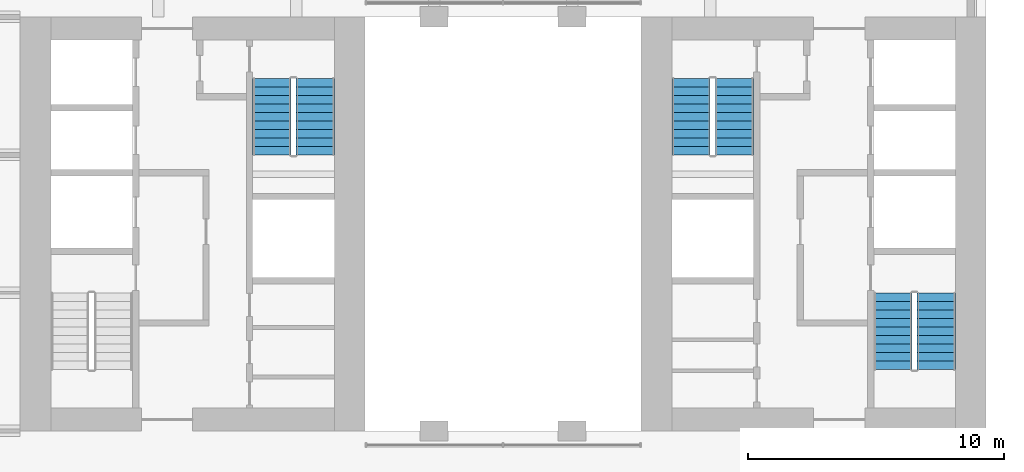
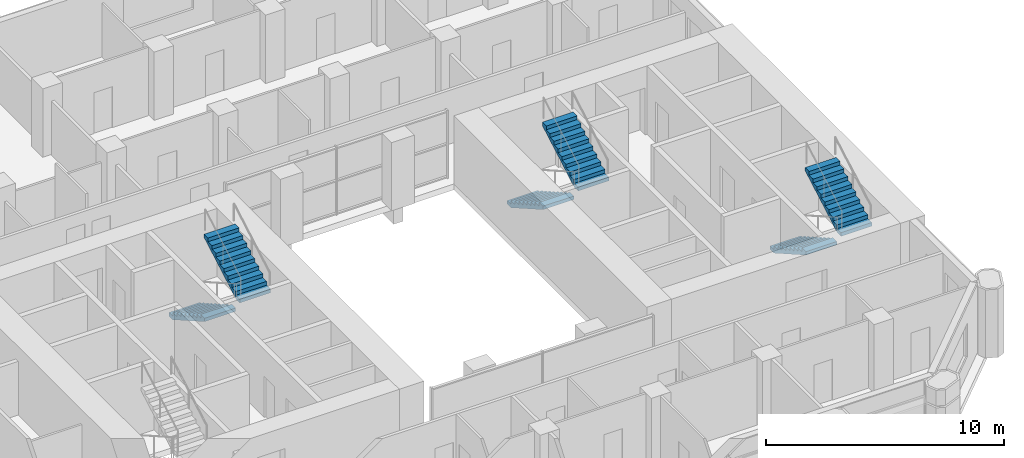
# One storey, part 10 of 13: 6 stair flights, 3 elements without a shape of their own.
"""IFC4 building model written with IfcOpenShell, lengths in metres."""

from ifc_helpers import new_model, si_unit, direction, frame, origin, place, context, subcontext, project, spatial, polyline, outline, extrude, material, type_object, element, aggregate, save


model = new_model("IFC4")

# Units and contexts
model_context = context("Model", 3, precision=1e-05, world=origin(), true_north=direction((0.0, 1.0)))
body_context = subcontext(model_context, "Body", "Model", "MODEL_VIEW")
ifc_project = project(units=[si_unit("LENGTHUNIT", "METRE"), si_unit("AREAUNIT", "SQUARE_METRE"), si_unit("VOLUMEUNIT", "CUBIC_METRE"), si_unit("PLANEANGLEUNIT", "RADIAN"), si_unit("MASSUNIT", "GRAM", prefix="KILO")], contexts=[model_context])

# Site, building, storey
site_placement = place(None, origin())
site = spatial("IfcSite", under=ifc_project, at=site_placement, CompositionType="ELEMENT")
building_placement = place(site_placement, origin())
building = spatial("IfcBuilding", under=site, at=building_placement, Name="Tabaq Tower and Sports Hall", CompositionType="ELEMENT")
storey_placement = place(building_placement, frame((0.0, 0.0, 118.199951171875)))
storey = spatial("IfcBuildingStorey", under=building, at=storey_placement, Name="L28", CompositionType="ELEMENT", Elevation=118.199951171875)

# Stair, stair flights
ifc_material_1 = material(Name="Concrete C40/50", Category="concrete")
stair_type = type_object("IfcStairType", Name="Exit stair", PredefinedType="HALF_TURN_STAIR", material=ifc_material_1)
stair_1_placement = place(storey_placement, origin())
stair_1 = element("IfcStair", 1, at=stair_1_placement, inside=storey, type_object=stair_type, Name="L28 Exit stair ST2", PredefinedType="HALF_TURN_STAIR")
ifc_material_2 = material(Name="Concrete C40/50", Category="concrete")
stair_flight_type = type_object("IfcStairFlightType", Name="Exit stair flight", PredefinedType="STRAIGHT", material=ifc_material_2)
stair_flight_1_placement = place(storey_placement, frame((15.25, 30.0, 0.0), z_axis=(0.0, 0.0, 1.0), x_axis=(0.0, -1.0, 0.0)))
stair_flight_1 = element("IfcStairFlight", 2, at=stair_flight_1_placement, type_object=stair_flight_type, Name="ST2 flight 1", NumberOfRisers=10, NumberOfTreads=9, PredefinedType="STRAIGHT", RiserHeight=0.19, TreadLength=0.333333333, context=body_context, shape_type="SweptSolid", body=[
    extrude(outline(polyline([(0.0, 0.0), (0.0, 0.18994140625), (0.333251953125, 0.18994140625), (0.333251953125, 0.3798828125), (0.666748046875, 0.3798828125), (0.666748046875, 0.570068359375), (1.0, 0.570068359375), (1.0, 0.760009765625), (1.333251953125, 0.760009765625), (1.333251953125, 0.949951171875), (1.666748046875, 0.949951171875), (1.666748046875, 1.139892578125), (2.0, 1.139892578125), (2.0, 1.330078125), (2.333251953125, 1.330078125), (2.333251953125, 1.52001953125), (2.666748046875, 1.52001953125), (2.666748046875, 1.7099609375), (3.0, 1.7099609375), (3.0, 1.89990234375), (3.0, 1.537353515625), (0.302734375, 0.0), (0.0, 0.0)])), frame((0.0, 0.75, 0.0), z_axis=(0.0, -1.0, 0.0), x_axis=(1.0, 0.0, 0.0)), (0.0, 0.0, 1.0), 1.5),
])
stair_flight_2_placement = place(storey_placement, frame((16.949951171875, 27.0, 1.900146484375), z_axis=(0.0, 0.0, 1.0), x_axis=(0.0, 1.0, 0.0)))
stair_flight_2 = element("IfcStairFlight", 3, at=stair_flight_2_placement, type_object=stair_flight_type, Name="ST2 flight 2", NumberOfRisers=10, NumberOfTreads=9, PredefinedType="STRAIGHT", RiserHeight=0.19, TreadLength=0.333333333, context=body_context, shape_type="SweptSolid", body=[
    extrude(outline(polyline([(0.0, 0.0), (0.0, 0.18994140625), (0.333251953125, 0.18994140625), (0.333251953125, 0.3798828125), (0.666748046875, 0.3798828125), (0.666748046875, 0.570068359375), (1.0, 0.570068359375), (1.0, 0.760009765625), (1.333251953125, 0.760009765625), (1.333251953125, 0.949951171875), (1.666748046875, 0.949951171875), (1.666748046875, 1.139892578125), (2.0, 1.139892578125), (2.0, 1.330078125), (2.333251953125, 1.330078125), (2.333251953125, 1.52001953125), (2.666748046875, 1.52001953125), (2.666748046875, 1.7099609375), (3.0, 1.7099609375), (3.0, 1.89990234375), (3.0, 1.537353515625), (0.302734375, 0.0), (0.0, 0.0)])), frame((0.0, 0.75, 0.0), z_axis=(0.0, -1.0, 0.0), x_axis=(1.0, 0.0, 0.0)), (0.0, 0.0, 1.0), 1.5),
])
aggregate(stair_1, [stair_flight_1, stair_flight_2])

stair_2_placement = place(storey_placement, origin())
stair_2 = element("IfcStair", 4, at=stair_2_placement, inside=storey, type_object=stair_type, Name="L28 Exit stair ST3", PredefinedType="HALF_TURN_STAIR")
stair_flight_3_placement = place(storey_placement, frame((39.550048828125, 21.60009765625, 0.0), z_axis=(0.0, 0.0, 1.0), x_axis=(0.0, -1.0, 0.0)))
stair_flight_3 = element("IfcStairFlight", 5, at=stair_flight_3_placement, type_object=stair_flight_type, Name="ST3 flight 1", NumberOfRisers=10, NumberOfTreads=9, PredefinedType="STRAIGHT", RiserHeight=0.19, TreadLength=0.333333333, context=body_context, shape_type="SweptSolid", body=[
    extrude(outline(polyline([(0.0, 0.0), (0.0, 0.18994140625), (0.333251953125, 0.18994140625), (0.333251953125, 0.3798828125), (0.666748046875, 0.3798828125), (0.666748046875, 0.570068359375), (1.0, 0.570068359375), (1.0, 0.760009765625), (1.333251953125, 0.760009765625), (1.333251953125, 0.949951171875), (1.666748046875, 0.949951171875), (1.666748046875, 1.139892578125), (2.0, 1.139892578125), (2.0, 1.330078125), (2.333251953125, 1.330078125), (2.333251953125, 1.52001953125), (2.666748046875, 1.52001953125), (2.666748046875, 1.7099609375), (3.0, 1.7099609375), (3.0, 1.89990234375), (3.0, 1.537353515625), (0.302734375, 0.0), (0.0, 0.0)])), frame((0.0, 0.75, 0.0), z_axis=(0.0, -1.0, 0.0), x_axis=(1.0, 0.0, 0.0)), (0.0, 0.0, 1.0), 1.5),
])
stair_flight_4_placement = place(storey_placement, frame((41.25, 18.60009765625, 1.900146484375), z_axis=(0.0, 0.0, 1.0), x_axis=(0.0, 1.0, 0.0)))
stair_flight_4 = element("IfcStairFlight", 6, at=stair_flight_4_placement, type_object=stair_flight_type, Name="ST3 flight 2", NumberOfRisers=10, NumberOfTreads=9, PredefinedType="STRAIGHT", RiserHeight=0.19, TreadLength=0.333333333, context=body_context, shape_type="SweptSolid", body=[
    extrude(outline(polyline([(0.0, 0.0), (0.0, 0.18994140625), (0.333251953125, 0.18994140625), (0.333251953125, 0.3798828125), (0.666748046875, 0.3798828125), (0.666748046875, 0.570068359375), (1.0, 0.570068359375), (1.0, 0.760009765625), (1.333251953125, 0.760009765625), (1.333251953125, 0.949951171875), (1.666748046875, 0.949951171875), (1.666748046875, 1.139892578125), (2.0, 1.139892578125), (2.0, 1.330078125), (2.333251953125, 1.330078125), (2.333251953125, 1.52001953125), (2.666748046875, 1.52001953125), (2.666748046875, 1.7099609375), (3.0, 1.7099609375), (3.0, 1.89990234375), (3.0, 1.537353515625), (0.302734375, 0.0), (0.0, 0.0)])), frame((0.0, 0.75, 0.0), z_axis=(0.0, -1.0, 0.0), x_axis=(1.0, 0.0, 0.0)), (0.0, 0.0, 1.0), 1.5),
])
aggregate(stair_2, [stair_flight_3, stair_flight_4])

stair_3_placement = place(storey_placement, origin())
stair_3 = element("IfcStair", 7, at=stair_3_placement, inside=storey, type_object=stair_type, Name="L28 Exit stair ST4", PredefinedType="HALF_TURN_STAIR")
stair_flight_5_placement = place(storey_placement, frame((31.64990234375, 30.0, 0.0), z_axis=(0.0, 0.0, 1.0), x_axis=(0.0, -1.0, 0.0)))
stair_flight_5 = element("IfcStairFlight", 8, at=stair_flight_5_placement, type_object=stair_flight_type, Name="ST4 flight 1", NumberOfRisers=10, NumberOfTreads=9, PredefinedType="STRAIGHT", RiserHeight=0.19, TreadLength=0.333333333, context=body_context, shape_type="SweptSolid", body=[
    extrude(outline(polyline([(0.0, 0.0), (0.0, 0.18994140625), (0.333251953125, 0.18994140625), (0.333251953125, 0.3798828125), (0.666748046875, 0.3798828125), (0.666748046875, 0.570068359375), (1.0, 0.570068359375), (1.0, 0.760009765625), (1.333251953125, 0.760009765625), (1.333251953125, 0.949951171875), (1.666748046875, 0.949951171875), (1.666748046875, 1.139892578125), (2.0, 1.139892578125), (2.0, 1.330078125), (2.333251953125, 1.330078125), (2.333251953125, 1.52001953125), (2.666748046875, 1.52001953125), (2.666748046875, 1.7099609375), (3.0, 1.7099609375), (3.0, 1.89990234375), (3.0, 1.537353515625), (0.302734375, 0.0), (0.0, 0.0)])), frame((0.0, 0.75, 0.0), z_axis=(0.0, -1.0, 0.0), x_axis=(1.0, 0.0, 0.0)), (0.0, 0.0, 1.0), 1.5),
])
stair_flight_6_placement = place(storey_placement, frame((33.35009765625, 27.0, 1.900146484375), z_axis=(0.0, 0.0, 1.0), x_axis=(0.0, 1.0, 0.0)))
stair_flight_6 = element("IfcStairFlight", 9, at=stair_flight_6_placement, type_object=stair_flight_type, Name="ST4 flight 2", NumberOfRisers=10, NumberOfTreads=9, PredefinedType="STRAIGHT", RiserHeight=0.19, TreadLength=0.333333333, context=body_context, shape_type="SweptSolid", body=[
    extrude(outline(polyline([(0.0, 0.0), (0.0, 0.18994140625), (0.333251953125, 0.18994140625), (0.333251953125, 0.3798828125), (0.666748046875, 0.3798828125), (0.666748046875, 0.570068359375), (1.0, 0.570068359375), (1.0, 0.760009765625), (1.333251953125, 0.760009765625), (1.333251953125, 0.949951171875), (1.666748046875, 0.949951171875), (1.666748046875, 1.139892578125), (2.0, 1.139892578125), (2.0, 1.330078125), (2.333251953125, 1.330078125), (2.333251953125, 1.52001953125), (2.666748046875, 1.52001953125), (2.666748046875, 1.7099609375), (3.0, 1.7099609375), (3.0, 1.89990234375), (3.0, 1.537353515625), (0.302734375, 0.0), (0.0, 0.0)])), frame((0.0, 0.75, 0.0), z_axis=(0.0, -1.0, 0.0), x_axis=(1.0, 0.0, 0.0)), (0.0, 0.0, 1.0), 1.5),
])
aggregate(stair_3, [stair_flight_5, stair_flight_6])

save(model, "model.ifc")
